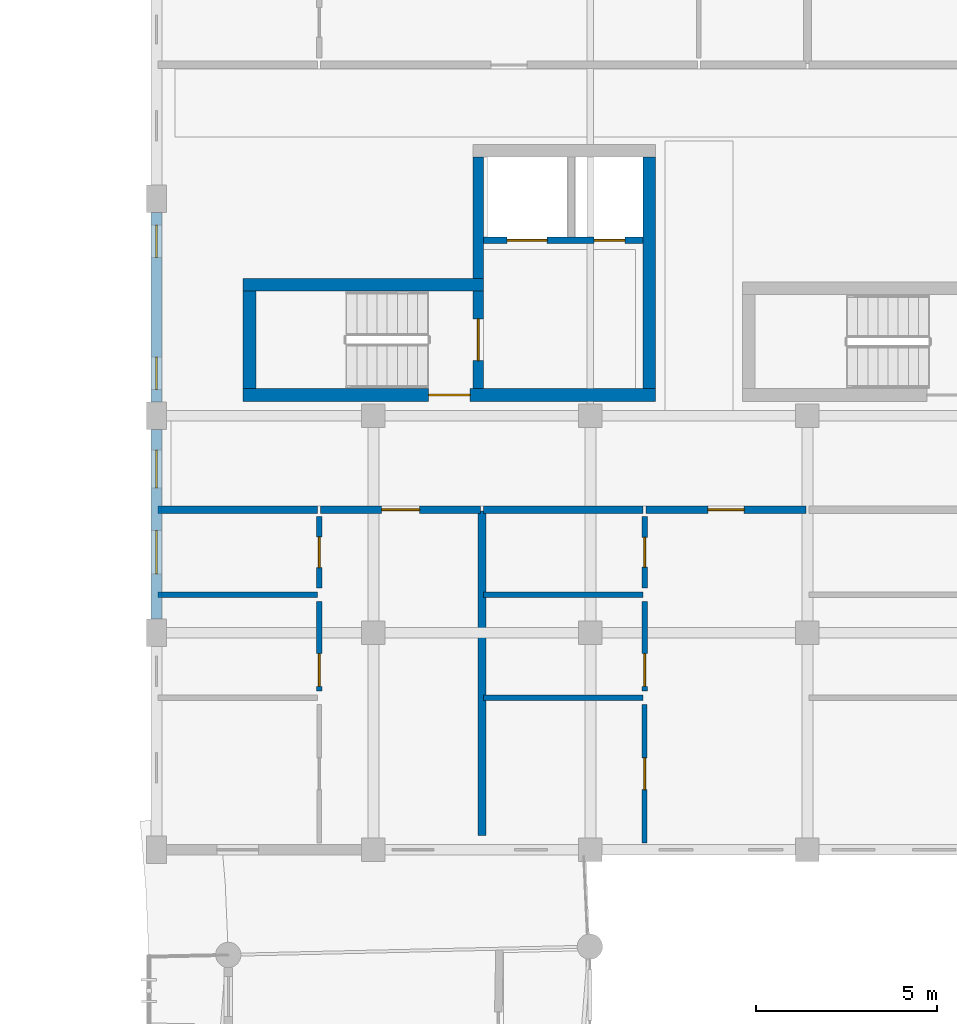
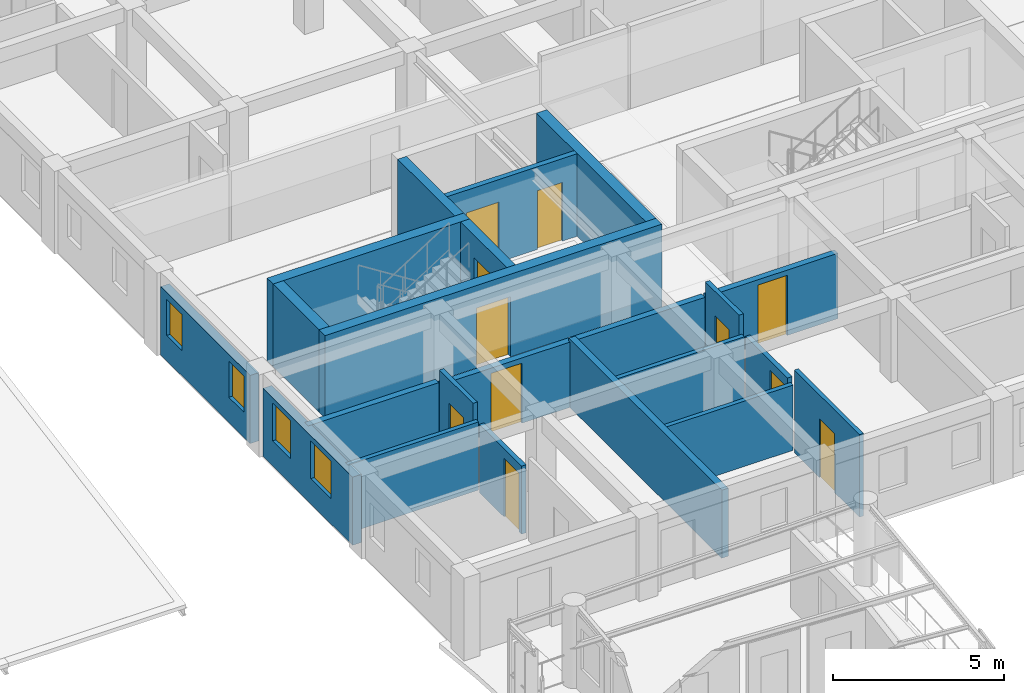
# One storey, part 88 of 123: 22 walls, 11 doors, 4 windows, 15 openings.
"""IFC4 building model written with IfcOpenShell, lengths in metres."""

import ifcopenshell
import ifcopenshell.guid

model = None  # the IFC model being written
_history = None  # IfcOwnerHistory: only IFC2X3 demands one
_inside = {}  # id of a spatial element -> (the spatial element, [elements in it])
_under = {}  # id of a project, library or spatial element -> (it, [spatial elements below it])
_declared = {}  # id of a project -> (the project, [libraries it declares])
_typed = {}  # id of a type object -> (the type object, [elements of that type])
_made_of = {}  # id of a material, layer set ... -> (it, [elements and type objects made of it])


def new_model(schema):
    """Start an empty IFC model of exactly this schema.

    Asked for "IFC4X3", IfcOpenShell would pick the latest addendum, in which some entities
    have other attributes; the version numbers below select the first issue.
    IFC2X3 requires an IfcOwnerHistory on every rooted entity: one is made here for all.
    """
    global model, _history
    if schema == "IFC4X3":
        model = ifcopenshell.file(schema_version=(4, 3, 0, 0))
    else:
        model = ifcopenshell.file(schema=schema)
    _inside.clear()
    _under.clear()
    _declared.clear()
    _typed.clear()
    _made_of.clear()
    _history = None
    if model.schema == "IFC2X3":
        org = make("IfcOrganization", Name="unknown")
        user = make(
            "IfcPersonAndOrganization",
            ThePerson=make("IfcPerson", FamilyName="unknown"),
            TheOrganization=org,
        )
        app = make(
            "IfcApplication",
            ApplicationDeveloper=org,
            Version="unknown",
            ApplicationFullName="unknown",
            ApplicationIdentifier="unknown",
        )
        _history = make(
            "IfcOwnerHistory",
            OwningUser=user,
            OwningApplication=app,
            ChangeAction="ADDED",
            CreationDate=0,
        )
    return model


def make(cls, **values):
    """One entity of the class cls with the attributes given. An attribute that is None is left unset."""
    return model.create_entity(
        cls, **{name: value for name, value in values.items() if value is not None}
    )


def rooted(cls, **values):
    """An entity with a GlobalId (a new one), such as an element, a storey or a relation."""
    return make(cls, GlobalId=ifcopenshell.guid.new(), OwnerHistory=_history, **values)


def si_unit(unit_type, name, prefix=None):
    """IfcSIUnit, for example si_unit("LENGTHUNIT", "METRE", prefix="MILLI")."""
    return make("IfcSIUnit", UnitType=unit_type, Prefix=prefix, Name=name)


def assignment(units):
    """IfcUnitAssignment: the units of a project."""
    return None if units is None else make("IfcUnitAssignment", Units=units)


def point(xyz):
    """IfcCartesianPoint."""
    return None if xyz is None else make("IfcCartesianPoint", Coordinates=xyz)


def direction(xyz):
    """IfcDirection."""
    return None if xyz is None else make("IfcDirection", DirectionRatios=xyz)


def frame(location, z_axis=None, x_axis=None):
    """IfcAxis2Placement3D, a coordinate frame: its origin and axes. An axis left out is left unset."""
    return make(
        "IfcAxis2Placement3D",
        Location=point(location),
        Axis=direction(z_axis),
        RefDirection=direction(x_axis),
    )


def frame_2d(location, x_axis=None):
    """IfcAxis2Placement2D, a coordinate frame in the plane: its origin and x axis."""
    return make(
        "IfcAxis2Placement2D", Location=point(location), RefDirection=direction(x_axis)
    )


def origin():
    """The frame at (0, 0, 0) with its axes left unset."""
    return frame((0.0, 0.0, 0.0))


def place(relative_to, where):
    """IfcLocalPlacement: puts the frame where relative to a parent placement (None: the world)."""
    return make(
        "IfcLocalPlacement", PlacementRelTo=relative_to, RelativePlacement=where
    )


def context(
    kind, dimensions, precision=None, world=None, true_north=None, identifier=None
):
    """IfcGeometricRepresentationContext, for example the 3D "Model" context."""
    return make(
        "IfcGeometricRepresentationContext",
        ContextIdentifier=identifier,
        ContextType=kind,
        CoordinateSpaceDimension=dimensions,
        Precision=precision,
        WorldCoordinateSystem=world,
        TrueNorth=true_north,
    )


def subcontext(parent, identifier, kind, view, scale=None):
    """IfcGeometricRepresentationSubContext, for example "Body" below "Model"."""
    return make(
        "IfcGeometricRepresentationSubContext",
        ContextIdentifier=identifier,
        ContextType=kind,
        ParentContext=parent,
        TargetScale=scale,
        TargetView=view,
    )


def project(units=None, contexts=None):
    """IfcProject with its units and contexts."""
    return rooted(
        "IfcProject",
        Name="project",
        RepresentationContexts=contexts,
        UnitsInContext=assignment(units),
    )


def spatial(cls, under=None, at=None, **own):
    """A site, building, storey or space (cls), placed at a placement, below another one or the project."""
    s = rooted(cls, ObjectPlacement=at, **own)
    if under is not None:
        _under.setdefault(under.id(), (under, []))[1].append(s)
    return s


def profile(cls, at=None, kind="AREA", **sizes):
    """A parametric profile (cls). Its sizes go by their IFC names, for example OverallWidth=200.0."""
    return make(cls, ProfileType=kind, Position=at, **sizes)


def rectangle(**sizes):
    """IfcRectangleProfileDef."""
    return profile("IfcRectangleProfileDef", **sizes)


def extrude(swept, where, along, depth):
    """IfcExtrudedAreaSolid: the profile swept, set in the frame where, extruded along a direction by depth."""
    return make(
        "IfcExtrudedAreaSolid",
        SweptArea=swept,
        Position=where,
        ExtrudedDirection=direction(along),
        Depth=depth,
    )


def shape(context_of_items, identifier, shape_type, items):
    """IfcShapeRepresentation: the items that make up one representation, for example the "Body"."""
    return make(
        "IfcShapeRepresentation",
        ContextOfItems=context_of_items,
        RepresentationIdentifier=identifier,
        RepresentationType=shape_type,
        Items=items,
    )


def material(Name=None, Category=None):
    """IfcMaterial."""
    return make("IfcMaterial", Name=Name, Category=Category)


def layer(
    of_material, thickness, ventilated=None, Name=None, Category=None, Priority=None
):
    """IfcMaterialLayer: one layer of a wall or slab, of a material (None: an air gap)."""
    return make(
        "IfcMaterialLayer",
        Material=of_material,
        LayerThickness=thickness,
        IsVentilated=ventilated,
        Name=Name,
        Category=Category,
        Priority=Priority,
    )


def layer_set(layers, Name=None):
    """IfcMaterialLayerSet."""
    return make("IfcMaterialLayerSet", MaterialLayers=layers, LayerSetName=Name)


def made_of(thing, what):
    """Note that an element or type object is made of a material, layer set ...; save() writes the relation."""
    if what is not None:
        _made_of.setdefault(what.id(), (what, []))[1].append(thing)
    return thing


def type_object(cls, material=None, **own):
    """A type object (cls), such as IfcWallType, which elements share."""
    return made_of(rooted(cls, **own), material)


def element(
    cls,
    number,
    at=None,
    inside=None,
    cuts=None,
    type_object=None,
    material=None,
    context=None,
    identifier="Body",
    shape_type=None,
    held_by="IfcProductDefinitionShape",
    body=None,
    shapes=None,
    **own,
):
    """One element of the class cls, such as IfcWall. Its Tag is "e" and its number.

    at: its placement. inside: the storey or other place that contains it. cuts: it is an
    opening in that element (IfcRelVoidsElement). A single representation is given by context,
    identifier, shape_type and body (its items); several are given by shapes. held_by: the class
    of the entity that holds the representations. save() writes the other relations.
    """
    e = rooted(cls, Tag="e%d" % number, ObjectPlacement=at, **own)
    if body is not None:
        shapes = [shape(context, identifier, shape_type, body)]
    if shapes is not None:
        e.Representation = make(held_by, Representations=shapes)
    if inside is not None:
        _inside.setdefault(inside.id(), (inside, []))[1].append(e)
    if cuts is not None:
        rooted(
            "IfcRelVoidsElement", RelatingBuildingElement=cuts, RelatedOpeningElement=e
        )
    if type_object is not None:
        _typed.setdefault(type_object.id(), (type_object, []))[1].append(e)
    return made_of(e, material)


def fill(opening, filler):
    """IfcRelFillsElement: the door or window that sits in an opening."""
    return rooted(
        "IfcRelFillsElement",
        RelatingOpeningElement=opening,
        RelatedBuildingElement=filler,
    )


def aggregate(whole, parts):
    """IfcRelAggregates: a whole, such as a stair, and the parts it consists of."""
    return rooted("IfcRelAggregates", RelatingObject=whole, RelatedObjects=parts)


def save(model, path):
    """Write the relations noted so far, then the file.

    IfcRelAggregates (storeys below a building ...), IfcRelContainedInSpatialStructure (elements
    in a storey), IfcRelDefinesByType, IfcRelAssociatesMaterial and IfcRelDeclares: one each for
    every whole, place, type object, material and project.
    """
    for whole, parts in _under.values():
        aggregate(whole, parts)
    for where, things in _inside.values():
        rooted(
            "IfcRelContainedInSpatialStructure",
            RelatedElements=things,
            RelatingStructure=where,
        )
    for kind, things in _typed.values():
        rooted("IfcRelDefinesByType", RelatedObjects=things, RelatingType=kind)
    for what, things in _made_of.values():
        rooted("IfcRelAssociatesMaterial", RelatedObjects=things, RelatingMaterial=what)
    for by, libraries in _declared.values():
        rooted("IfcRelDeclares", RelatingContext=by, RelatedDefinitions=libraries)
    model.write(path)


model = new_model("IFC4")

# Units and contexts
model_context = context("Model", 3, precision=1e-05, world=origin(), true_north=direction((0.0, 1.0)))
body_context = subcontext(model_context, "Body", "Model", "MODEL_VIEW")
ifc_project = project(units=[si_unit("LENGTHUNIT", "METRE"), si_unit("AREAUNIT", "SQUARE_METRE"), si_unit("VOLUMEUNIT", "CUBIC_METRE"), si_unit("PLANEANGLEUNIT", "RADIAN"), si_unit("MASSUNIT", "GRAM", prefix="KILO"), si_unit("POWERUNIT", "WATT"), si_unit("THERMODYNAMICTEMPERATUREUNIT", "KELVIN")], contexts=[model_context])

# Site, building, storey
site_placement = place(None, origin())
site = spatial("IfcSite", under=ifc_project, at=site_placement, CompositionType="ELEMENT")
building_placement = place(site_placement, origin())
building = spatial("IfcBuilding", under=site, at=building_placement, Name="Ruvembo Vaulted Housing Court", CompositionType="ELEMENT")
storey_placement = place(building_placement, frame((0.0, 0.0, 7.699951171875)))
storey = spatial("IfcBuildingStorey", under=building, at=storey_placement, Name="L02", CompositionType="ELEMENT", Elevation=7.699951171875)

# Wall, opening, door
ifc_material_1 = material(Name="Concrete C35/45", Category="concrete")
ifc_layer_1 = layer(ifc_material_1, 0.300048828125, Name="Concrete C35/45")
ifc_layer_set_1 = layer_set([ifc_layer_1], Name="Concrete C35/45")
wall_type_1 = type_object("IfcWallType", Name="WL-CORE-300", PredefinedType="SHEAR", material=ifc_layer_set_1)
wall_1_placement = place(storey_placement, frame((56.89990234375, 90.75, 0.0), z_axis=(0.0, 0.0, 1.0), x_axis=(0.0, 1.0, 0.0)))
wall_1 = element("IfcWall", 1, at=wall_1_placement, inside=storey, type_object=wall_type_1, Name="Core B1 L02 Stair-Lobby Shear Wall", PredefinedType="SHEAR", context=body_context, shape_type="SweptSolid", body=[
    extrude(rectangle(XDim=2.699951171875, YDim=0.300048828125, at=frame_2d((1.35009765625, 0.0))), origin(), (0.0, 0.0, 1.0), 2.955078125),
])
opening_1_placement = place(wall_1_placement, frame((0.77490234375, 0.0, 0.0)))
opening_1 = element("IfcOpeningElement", 2, at=opening_1_placement, cuts=wall_1, Name="Opening SD1", PredefinedType="OPENING", context=body_context, shape_type="SweptSolid", body=[
    extrude(rectangle(XDim=1.14990234375, YDim=2.14990234375, at=frame_2d((0.574951171875, 1.074951171875))), frame((0.0, 0.159912109375, 0.0), z_axis=(0.0, -1.0, 0.0), x_axis=(1.0, 0.0, 0.0)), (0.0, 0.0, 1.0), 0.320068359375),
])
ifc_material_2 = material(Name="Galvanised Painted Steel", Category="steel")
door_type_1 = type_object("IfcDoorType", Name="DR-STAIR-1150x2150", OperationType="NOTDEFINED", PredefinedType="DOOR", material=ifc_material_2)
door_1_placement = place(opening_1_placement, origin())
door_1 = element("IfcDoor", 3, at=door_1_placement, inside=storey, type_object=door_type_1, Name="Stair ST-B1 L02 Fire Door", OperationType="SINGLE_SWING_LEFT", OverallHeight=2.14990234375, OverallWidth=1.14990234375, PredefinedType="DOOR", context=body_context, shape_type="SweptSolid", body=[
    extrude(rectangle(XDim=1.14990234375, YDim=2.14990234375, at=frame_2d((0.574951171875, 1.074951171875))), frame((0.0, 0.02490234375, 0.0), z_axis=(0.0, -1.0, 0.0), x_axis=(1.0, 0.0, 0.0)), (0.0, 0.0, 1.0), 0.050048828125),
])
fill(opening_1, door_1)

# Wall
wall_2_placement = place(storey_placement, frame((56.89990234375, 93.800048828125, 0.0), z_axis=(0.0, 0.0, 1.0), x_axis=(0.0, 1.0, 0.0)))
element("IfcWall", 4, at=wall_2_placement, inside=storey, type_object=wall_type_1, Name="Core B1 L02 Upper West Shear Wall", PredefinedType="SHEAR", context=body_context, shape_type="SweptSolid", body=[
    extrude(rectangle(XDim=3.349853515625, YDim=0.300048828125, at=frame_2d((1.6748046875, 0.0))), origin(), (0.0, 0.0, 1.0), 2.955078125),
])

# Wall, opening, door
ifc_layer_2 = layer(ifc_material_1, 0.35009765625, Name="Concrete C35/45")
ifc_layer_set_2 = layer_set([ifc_layer_2], Name="Concrete C35/45")
wall_type_2 = type_object("IfcWallType", Name="WL-CORE-350", PredefinedType="SHEAR", material=ifc_layer_set_2)
wall_3_placement = place(storey_placement, frame((50.39990234375, 90.574951171875, 0.0), z_axis=(0.0, 0.0, 1.0), x_axis=(1.0, 0.0, 0.0)))
wall_3 = element("IfcWall", 5, at=wall_3_placement, inside=storey, type_object=wall_type_2, Name="Core B1 L02 South Shear Wall", PredefinedType="SHEAR", context=body_context, shape_type="SweptSolid", body=[
    extrude(rectangle(XDim=11.400146484375, YDim=0.35009765625, at=frame_2d((5.7001953125, 0.0))), origin(), (0.0, 0.0, 1.0), 2.955078125),
])
opening_2_placement = place(wall_3_placement, frame((5.125, 0.0, 0.0)))
opening_2 = element("IfcOpeningElement", 6, at=opening_2_placement, cuts=wall_3, Name="Opening LD0", PredefinedType="OPENING", context=body_context, shape_type="SweptSolid", body=[
    extrude(rectangle(XDim=1.14990234375, YDim=2.14990234375, at=frame_2d((0.574951171875, 1.074951171875))), frame((0.0, 0.18505859375, 0.0), z_axis=(0.0, -1.0, 0.0), x_axis=(1.0, 0.0, 0.0)), (0.0, 0.0, 1.0), 0.3701171875),
])
door_type_2 = type_object("IfcDoorType", Name="DR-LOB-1150x2150", OperationType="NOTDEFINED", PredefinedType="DOOR", material=ifc_material_2)
door_2_placement = place(opening_2_placement, origin())
door_2 = element("IfcDoor", 7, at=door_2_placement, inside=storey, type_object=door_type_2, Name="Core B1 L02 Lobby Fire Door", OperationType="SINGLE_SWING_RIGHT", OverallHeight=2.14990234375, OverallWidth=1.14990234375, PredefinedType="DOOR", context=body_context, shape_type="SweptSolid", body=[
    extrude(rectangle(XDim=1.14990234375, YDim=2.14990234375, at=frame_2d((0.574951171875, 1.074951171875))), frame((0.0, 0.02490234375, 0.0), z_axis=(0.0, -1.0, 0.0), x_axis=(1.0, 0.0, 0.0)), (0.0, 0.0, 1.0), 0.050048828125),
])
fill(opening_2, door_2)

# Walls
wall_4_placement = place(storey_placement, frame((57.050048828125, 93.625, 0.0), z_axis=(0.0, 0.0, 1.0), x_axis=(-1.0, 0.0, 0.0)))
element("IfcWall", 8, at=wall_4_placement, inside=storey, type_object=wall_type_2, Name="Core B1 L02 Stair North Shear Wall", PredefinedType="SHEAR", context=body_context, shape_type="SweptSolid", body=[
    extrude(rectangle(XDim=6.650146484375, YDim=0.35009765625, at=frame_2d((3.3251953125, 0.0))), origin(), (0.0, 0.0, 1.0), 2.955078125),
])
wall_5_placement = place(storey_placement, frame((50.574951171875, 93.449951171875, 0.0), z_axis=(0.0, 0.0, 1.0), x_axis=(0.0, -1.0, 0.0)))
element("IfcWall", 9, at=wall_5_placement, inside=storey, type_object=wall_type_2, Name="Core B1 L02 Stair West Shear Wall", PredefinedType="SHEAR", context=body_context, shape_type="SweptSolid", body=[
    extrude(rectangle(XDim=2.699951171875, YDim=0.35009765625, at=frame_2d((1.35009765625, 0.0))), origin(), (0.0, 0.0, 1.0), 2.955078125),
])
wall_6_placement = place(storey_placement, frame((61.625, 90.75, 0.0), z_axis=(0.0, 0.0, 1.0), x_axis=(0.0, 1.0, 0.0)))
element("IfcWall", 10, at=wall_6_placement, inside=storey, type_object=wall_type_2, Name="Core B1 L02 East Shear Wall", PredefinedType="SHEAR", context=body_context, shape_type="SweptSolid", body=[
    extrude(rectangle(XDim=6.39990234375, YDim=0.35009765625, at=frame_2d((3.199951171875, 0.0))), origin(), (0.0, 0.0, 1.0), 2.955078125),
])
ifc_material_3 = material(Name="Concrete Blockwork 210", Category="masonry")
ifc_layer_3 = layer(ifc_material_3, 0.2099609375, Name="Concrete Blockwork 210")
ifc_layer_set_3 = layer_set([ifc_layer_3], Name="Concrete Blockwork 210")
wall_type_3 = type_object("IfcWallType", Name="WL-CORR-210", PredefinedType="SOLIDWALL", material=ifc_layer_set_3)
wall_7_placement = place(storey_placement, frame((48.0400390625, 87.39990234375, 0.0), z_axis=(0.0, 0.0, 1.0), x_axis=(1.0, 0.0, 0.0)))
element("IfcWall", 11, at=wall_7_placement, inside=storey, type_object=wall_type_3, Name="L02 Flat B-L02-S1 Corridor Wall WL-INT-L02-00533", PredefinedType="SOLIDWALL", context=body_context, shape_type="SweptSolid", body=[
    extrude(rectangle(XDim=4.419921875, YDim=0.2099609375, at=frame_2d((2.2099609375, 0.0))), origin(), (0.0, 0.0, 1.0), 2.43701171875),
])

# Wall, opening, door
wall_8_placement = place(storey_placement, frame((52.5400390625, 87.39990234375, 0.0), z_axis=(0.0, 0.0, 1.0), x_axis=(1.0, 0.0, 0.0)))
wall_8 = element("IfcWall", 12, at=wall_8_placement, inside=storey, type_object=wall_type_3, Name="L02 Flat B-L02-S1 Entrance WL-INT-L02-00534", PredefinedType="SOLIDWALL", context=body_context, shape_type="SweptSolid", body=[
    extrude(rectangle(XDim=4.419921875, YDim=0.2099609375, at=frame_2d((2.2099609375, 0.0))), origin(), (0.0, 0.0, 1.0), 2.337158203125),
])
opening_3_placement = place(wall_8_placement, frame((1.68505859375, 0.0, 0.0)))
opening_3 = element("IfcOpeningElement", 13, at=opening_3_placement, cuts=wall_8, Name="Opening FD3", PredefinedType="OPENING", context=body_context, shape_type="SweptSolid", body=[
    extrude(rectangle(XDim=1.050048828125, YDim=2.14990234375, at=frame_2d((0.52490234375, 1.074951171875))), frame((0.0, 0.114990234375, 0.0), z_axis=(0.0, -1.0, 0.0), x_axis=(1.0, 0.0, 0.0)), (0.0, 0.0, 1.0), 0.22998046875),
])
ifc_material_4 = material(Name="FSC Hardwood and Engineered Timber", Category="wood")
door_type_3 = type_object("IfcDoorType", Name="DR-FLAT-1050x2150", OperationType="NOTDEFINED", PredefinedType="DOOR", material=ifc_material_4)
door_3_placement = place(opening_3_placement, origin())
door_3 = element("IfcDoor", 14, at=door_3_placement, inside=storey, type_object=door_type_3, Name="L02 Flat B-L02-S1 Entrance Door DR-INT-L02-00290", OperationType="SINGLE_SWING_RIGHT", OverallHeight=2.14990234375, OverallWidth=1.050048828125, PredefinedType="DOOR", context=body_context, shape_type="SweptSolid", body=[
    extrude(rectangle(XDim=1.050048828125, YDim=2.14990234375, at=frame_2d((0.52490234375, 1.074951171875))), frame((0.0, 0.02490234375, 0.0), z_axis=(0.0, -1.0, 0.0), x_axis=(1.0, 0.0, 0.0)), (0.0, 0.0, 1.0), 0.050048828125),
])
fill(opening_3, door_3)

# Wall
wall_9_placement = place(storey_placement, frame((57.0400390625, 87.39990234375, 0.0), z_axis=(0.0, 0.0, 1.0), x_axis=(1.0, 0.0, 0.0)))
element("IfcWall", 15, at=wall_9_placement, inside=storey, type_object=wall_type_3, Name="L02 Flat B-L02-S2 Corridor Wall WL-INT-L02-00541", PredefinedType="SOLIDWALL", context=body_context, shape_type="SweptSolid", body=[
    extrude(rectangle(XDim=4.419921875, YDim=0.2099609375, at=frame_2d((2.2099609375, 0.0))), origin(), (0.0, 0.0, 1.0), 2.337158203125),
])

# Wall, opening, door
wall_10_placement = place(storey_placement, frame((61.5400390625, 87.39990234375, 0.0), z_axis=(0.0, 0.0, 1.0), x_axis=(1.0, 0.0, 0.0)))
wall_10 = element("IfcWall", 16, at=wall_10_placement, inside=storey, type_object=wall_type_3, Name="L02 Flat B-L02-S2 Entrance WL-INT-L02-00542", PredefinedType="SOLIDWALL", context=body_context, shape_type="SweptSolid", body=[
    extrude(rectangle(XDim=4.419921875, YDim=0.2099609375, at=frame_2d((2.2099609375, 0.0))), origin(), (0.0, 0.0, 1.0), 2.337158203125),
])
opening_4_placement = place(wall_10_placement, frame((1.7099609375, 0.0, 0.0)))
opening_4 = element("IfcOpeningElement", 17, at=opening_4_placement, cuts=wall_10, Name="Opening FD1", PredefinedType="OPENING", context=body_context, shape_type="SweptSolid", body=[
    extrude(rectangle(XDim=1.0, YDim=2.14990234375, at=frame_2d((0.5, 1.074951171875))), frame((0.0, 0.114990234375, 0.0), z_axis=(0.0, -1.0, 0.0), x_axis=(1.0, 0.0, 0.0)), (0.0, 0.0, 1.0), 0.22998046875),
])
door_type_4 = type_object("IfcDoorType", Name="DR-FLAT-1000x2150", OperationType="NOTDEFINED", PredefinedType="DOOR", material=ifc_material_4)
door_4_placement = place(opening_4_placement, origin())
door_4 = element("IfcDoor", 18, at=door_4_placement, inside=storey, type_object=door_type_4, Name="L02 Flat B-L02-S2 Entrance Door DR-INT-L02-00294", OperationType="SINGLE_SWING_RIGHT", OverallHeight=2.14990234375, OverallWidth=1.0, PredefinedType="DOOR", context=body_context, shape_type="SweptSolid", body=[
    extrude(rectangle(XDim=1.0, YDim=2.14990234375, at=frame_2d((0.5, 1.074951171875))), frame((0.0, 0.02490234375, 0.0), z_axis=(0.0, -1.0, 0.0), x_axis=(1.0, 0.0, 0.0)), (0.0, 0.0, 1.0), 0.050048828125),
])
fill(opening_4, door_4)

# Wall
ifc_material_5 = material(Name="Acoustic Masonry Demising 220", Category="masonry")
ifc_layer_4 = layer(ifc_material_5, 0.219970703125, Name="Acoustic Masonry Demising 220")
ifc_layer_set_4 = layer_set([ifc_layer_4], Name="Acoustic Masonry Demising 220")
wall_type_4 = type_object("IfcWallType", Name="WL-DEM-200", PredefinedType="SOLIDWALL", material=ifc_layer_set_4)
wall_11_placement = place(storey_placement, frame((57.0, 78.389892578125, 0.0), z_axis=(0.0, 0.0, 1.0), x_axis=(0.0, 1.0, 0.0)))
element("IfcWall", 19, at=wall_11_placement, inside=storey, type_object=wall_type_4, Name="L02 Demising B-L02-S1 WL-INT-L02-00532", PredefinedType="SOLIDWALL", context=body_context, shape_type="SweptSolid", body=[
    extrude(rectangle(XDim=8.97021484375, YDim=0.219970703125, at=frame_2d((4.485107421875, 0.0))), origin(), (0.0, 0.0, 1.0), 2.43701171875),
])

# Wall, openings, windows
ifc_material_6 = material(Name="Rendered Masonry 300", Category="masonry")
ifc_layer_5 = layer(ifc_material_6, 0.300048828125, Name="Rendered Masonry 300")
ifc_layer_set_5 = layer_set([ifc_layer_5], Name="Rendered Masonry 300")
wall_type_5 = type_object("IfcWallType", Name="WL-EXT-300", PredefinedType="STANDARD", material=ifc_layer_set_5)
wall_12_placement = place(storey_placement, frame((48.0, 95.625, 0.0), z_axis=(0.0, 0.0, 1.0), x_axis=(0.0, -1.0, 0.0)))
wall_12 = element("IfcWall", 20, at=wall_12_placement, inside=storey, type_object=wall_type_5, Name="Block B L02 Exterior Wall WEST #4", PredefinedType="STANDARD", context=body_context, shape_type="SweptSolid", body=[
    extrude(rectangle(XDim=5.25, YDim=0.300048828125, at=frame_2d((2.625, 0.0))), origin(), (0.0, 0.0, 1.0), 2.43701171875),
])
opening_5_placement = place(wall_12_placement, frame((0.35009765625, 0.0, 0.89990234375)))
opening_5 = element("IfcOpeningElement", 21, at=opening_5_placement, cuts=wall_12, Name="Opening W04", PredefinedType="OPENING", context=body_context, shape_type="SweptSolid", body=[
    extrude(rectangle(XDim=0.89990234375, YDim=1.300048828125, at=frame_2d((0.449951171875, 0.64990234375))), frame((0.0, 0.159912109375, 0.0), z_axis=(0.0, -1.0, 0.0), x_axis=(1.0, 0.0, 0.0)), (0.0, 0.0, 1.0), 0.320068359375),
])
opening_6_placement = place(wall_12_placement, frame((4.0, 0.0, 0.89990234375)))
opening_6 = element("IfcOpeningElement", 22, at=opening_6_placement, cuts=wall_12, Name="Opening W04", PredefinedType="OPENING", context=body_context, shape_type="SweptSolid", body=[
    extrude(rectangle(XDim=0.89990234375, YDim=1.300048828125, at=frame_2d((0.449951171875, 0.64990234375))), frame((0.0, 0.159912109375, 0.0), z_axis=(0.0, -1.0, 0.0), x_axis=(1.0, 0.0, 0.0)), (0.0, 0.0, 1.0), 0.320068359375),
])
ifc_material_7 = material(Name="Double Solar-Control Glazing in Aluminium Frame", Category="aluminium")
window_type_1 = type_object("IfcWindowType", Name="WIN-0900x1300", PartitioningType="SINGLE_PANEL", PredefinedType="WINDOW", material=ifc_material_7)
window_1_placement = place(opening_5_placement, origin())
window_1 = element("IfcWindow", 23, at=window_1_placement, inside=storey, type_object=window_type_1, Name="Block B L02 Window #722", OverallHeight=1.300048828125, OverallWidth=0.89990234375, PartitioningType="SINGLE_PANEL", PredefinedType="WINDOW", context=body_context, shape_type="SweptSolid", body=[
    extrude(rectangle(XDim=0.89990234375, YDim=1.300048828125, at=frame_2d((0.449951171875, 0.64990234375))), frame((0.0, 0.030029296875, 0.0), z_axis=(0.0, -1.0, 0.0), x_axis=(1.0, 0.0, 0.0)), (0.0, 0.0, 1.0), 0.06005859375),
])
fill(opening_5, window_1)
window_2_placement = place(opening_6_placement, origin())
window_2 = element("IfcWindow", 24, at=window_2_placement, inside=storey, type_object=window_type_1, Name="Block B L02 Window #723", OverallHeight=1.300048828125, OverallWidth=0.89990234375, PartitioningType="SINGLE_PANEL", PredefinedType="WINDOW", context=body_context, shape_type="SweptSolid", body=[
    extrude(rectangle(XDim=0.89990234375, YDim=1.300048828125, at=frame_2d((0.449951171875, 0.64990234375))), frame((0.0, 0.030029296875, 0.0), z_axis=(0.0, -1.0, 0.0), x_axis=(1.0, 0.0, 0.0)), (0.0, 0.0, 1.0), 0.06005859375),
])
fill(opening_6, window_2)

wall_13_placement = place(storey_placement, frame((48.0, 89.625, 0.0), z_axis=(0.0, 0.0, 1.0), x_axis=(0.0, -1.0, 0.0)))
wall_13 = element("IfcWall", 25, at=wall_13_placement, inside=storey, type_object=wall_type_5, Name="Block B L02 Exterior Wall WEST #5", PredefinedType="STANDARD", context=body_context, shape_type="SweptSolid", body=[
    extrude(rectangle(XDim=5.25, YDim=0.300048828125, at=frame_2d((2.625, 0.0))), origin(), (0.0, 0.0, 1.0), 2.43701171875),
])
opening_7_placement = place(wall_13_placement, frame((0.5673828125, 0.0, 0.89990234375)))
opening_7 = element("IfcOpeningElement", 26, at=opening_7_placement, cuts=wall_13, Name="Opening W09", PredefinedType="OPENING", context=body_context, shape_type="SweptSolid", body=[
    extrude(rectangle(XDim=1.050048828125, YDim=1.35009765625, at=frame_2d((0.52490234375, 0.675048828125))), frame((0.0, 0.159912109375, 0.0), z_axis=(0.0, -1.0, 0.0), x_axis=(1.0, 0.0, 0.0)), (0.0, 0.0, 1.0), 0.320068359375),
])
opening_8_placement = place(wall_13_placement, frame((2.800048828125, 0.0, 0.89990234375)))
opening_8 = element("IfcOpeningElement", 27, at=opening_8_placement, cuts=wall_13, Name="Opening W12", PredefinedType="OPENING", context=body_context, shape_type="SweptSolid", body=[
    extrude(rectangle(XDim=1.199951171875, YDim=1.35009765625, at=frame_2d((0.60009765625, 0.675048828125))), frame((0.0, 0.159912109375, 0.0), z_axis=(0.0, -1.0, 0.0), x_axis=(1.0, 0.0, 0.0)), (0.0, 0.0, 1.0), 0.320068359375),
])
window_type_2 = type_object("IfcWindowType", Name="WIN-1050x1350", PartitioningType="SINGLE_PANEL", PredefinedType="WINDOW", material=ifc_material_7)
window_3_placement = place(opening_7_placement, origin())
window_3 = element("IfcWindow", 28, at=window_3_placement, inside=storey, type_object=window_type_2, Name="Block B L02 Window #724", OverallHeight=1.35009765625, OverallWidth=1.050048828125, PartitioningType="SINGLE_PANEL", PredefinedType="WINDOW", context=body_context, shape_type="SweptSolid", body=[
    extrude(rectangle(XDim=1.050048828125, YDim=1.35009765625, at=frame_2d((0.52490234375, 0.675048828125))), frame((0.0, 0.030029296875, 0.0), z_axis=(0.0, -1.0, 0.0), x_axis=(1.0, 0.0, 0.0)), (0.0, 0.0, 1.0), 0.06005859375),
])
fill(opening_7, window_3)
window_type_3 = type_object("IfcWindowType", Name="WIN-1200x1350", PartitioningType="SINGLE_PANEL", PredefinedType="WINDOW", material=ifc_material_7)
window_4_placement = place(opening_8_placement, origin())
window_4 = element("IfcWindow", 29, at=window_4_placement, inside=storey, type_object=window_type_3, Name="Block B L02 Window #725", OverallHeight=1.35009765625, OverallWidth=1.199951171875, PartitioningType="SINGLE_PANEL", PredefinedType="WINDOW", context=body_context, shape_type="SweptSolid", body=[
    extrude(rectangle(XDim=1.199951171875, YDim=1.35009765625, at=frame_2d((0.60009765625, 0.675048828125))), frame((0.0, 0.030029296875, 0.0), z_axis=(0.0, -1.0, 0.0), x_axis=(1.0, 0.0, 0.0)), (0.0, 0.0, 1.0), 0.06005859375),
])
fill(opening_8, window_4)

# Wall, opening, door
ifc_material_8 = material(Name="Acoustic Stud Partition 135", Category="gypsum")
ifc_layer_6 = layer(ifc_material_8, 0.135009765625, Name="Acoustic Stud Partition 135")
ifc_layer_set_6 = layer_set([ifc_layer_6], Name="Acoustic Stud Partition 135")
wall_type_6 = type_object("IfcWallType", Name="WL-PART-135", PredefinedType="PARTITIONING", material=ifc_layer_set_6)
wall_14_placement = place(storey_placement, frame((61.5, 78.18994140625, 0.0), z_axis=(0.0, 0.0, 1.0), x_axis=(0.0, 1.0, 0.0)))
wall_14 = element("IfcWall", 30, at=wall_14_placement, inside=storey, type_object=wall_type_6, Name="L02 Flat B-L02-S2 Bedroom 1 WL-INT-L02-00543", PredefinedType="PARTITIONING", context=body_context, shape_type="SweptSolid", body=[
    extrude(rectangle(XDim=3.820068359375, YDim=0.135009765625, at=frame_2d((1.91015625, 0.0))), origin(), (0.0, 0.0, 1.0), 2.955078125),
])
opening_9_placement = place(wall_14_placement, frame((1.469970703125, 0.0, 0.0)))
opening_9 = element("IfcOpeningElement", 31, at=opening_9_placement, cuts=wall_14, Name="Opening ID3", PredefinedType="OPENING", context=body_context, shape_type="SweptSolid", body=[
    extrude(rectangle(XDim=0.8798828125, YDim=2.10009765625, at=frame_2d((0.43994140625, 1.050048828125))), frame((0.0, 0.077392578125, 0.0), z_axis=(0.0, -1.0, 0.0), x_axis=(1.0, 0.0, 0.0)), (0.0, 0.0, 1.0), 0.155029296875),
])
door_type_5 = type_object("IfcDoorType", Name="DR-ROOM-0880x2100", OperationType="NOTDEFINED", PredefinedType="DOOR", material=ifc_material_4)
door_5_placement = place(opening_9_placement, origin())
door_5 = element("IfcDoor", 32, at=door_5_placement, inside=storey, type_object=door_type_5, Name="L02 Flat B-L02-S2 Bedroom 1 Door DR-INT-L02-00295", OperationType="SINGLE_SWING_LEFT", OverallHeight=2.10009765625, OverallWidth=0.8798828125, PredefinedType="DOOR", context=body_context, shape_type="SweptSolid", body=[
    extrude(rectangle(XDim=0.8798828125, YDim=2.10009765625, at=frame_2d((0.43994140625, 1.050048828125))), frame((0.0, 0.02490234375, 0.0), z_axis=(0.0, -1.0, 0.0), x_axis=(1.0, 0.0, 0.0)), (0.0, 0.0, 1.0), 0.050048828125),
])
fill(opening_9, door_5)

ifc_material_9 = material(Name="Moisture-Resistant Wet Partition 150", Category="gypsum")
ifc_layer_7 = layer(ifc_material_9, 0.14990234375, Name="Moisture-Resistant Wet Partition 150")
ifc_layer_set_7 = layer_set([ifc_layer_7], Name="Moisture-Resistant Wet Partition 150")
wall_type_7 = type_object("IfcWallType", Name="WL-PART-150", PredefinedType="PARTITIONING", material=ifc_layer_set_7)
wall_15_placement = place(storey_placement, frame((52.5, 85.239990234375, 0.0), z_axis=(0.0, 0.0, 1.0), x_axis=(0.0, 1.0, 0.0)))
wall_15 = element("IfcWall", 33, at=wall_15_placement, inside=storey, type_object=wall_type_7, Name="L02 Flat B-L02-S1 Bathroom WL-INT-L02-00537", PredefinedType="PARTITIONING", context=body_context, shape_type="SweptSolid", body=[
    extrude(rectangle(XDim=1.969970703125, YDim=0.14990234375, at=frame_2d((0.98486328125, 0.0))), origin(), (0.0, 0.0, 1.0), 2.955078125),
])
opening_10_placement = place(wall_15_placement, frame((0.56005859375, 0.0, 0.0)))
opening_10 = element("IfcOpeningElement", 34, at=opening_10_placement, cuts=wall_15, Name="Opening ID2", PredefinedType="OPENING", context=body_context, shape_type="SweptSolid", body=[
    extrude(rectangle(XDim=0.85009765625, YDim=2.10009765625, at=frame_2d((0.425048828125, 1.050048828125))), frame((0.0, 0.0849609375, 0.0), z_axis=(0.0, -1.0, 0.0), x_axis=(1.0, 0.0, 0.0)), (0.0, 0.0, 1.0), 0.169921875),
])
door_type_6 = type_object("IfcDoorType", Name="DR-WET-0850x2100", OperationType="NOTDEFINED", PredefinedType="DOOR", material=ifc_material_4)
door_6_placement = place(opening_10_placement, origin())
door_6 = element("IfcDoor", 35, at=door_6_placement, inside=storey, type_object=door_type_6, Name="L02 Flat B-L02-S1 Bathroom Door DR-INT-L02-00293", OperationType="SINGLE_SWING_LEFT", OverallHeight=2.10009765625, OverallWidth=0.85009765625, PredefinedType="DOOR", context=body_context, shape_type="SweptSolid", body=[
    extrude(rectangle(XDim=0.85009765625, YDim=2.10009765625, at=frame_2d((0.425048828125, 1.050048828125))), frame((0.0, 0.02490234375, 0.0), z_axis=(0.0, -1.0, 0.0), x_axis=(1.0, 0.0, 0.0)), (0.0, 0.0, 1.0), 0.050048828125),
])
fill(opening_10, door_6)

# Wall
wall_16_placement = place(storey_placement, frame((48.0400390625, 85.050048828125, 0.0), z_axis=(0.0, 0.0, 1.0), x_axis=(1.0, 0.0, 0.0)))
element("IfcWall", 36, at=wall_16_placement, inside=storey, type_object=wall_type_7, Name="L02 Flat B-L02-S1 Wet Wall 2 WL-INT-L02-00539", PredefinedType="PARTITIONING", context=body_context, shape_type="SweptSolid", body=[
    extrude(rectangle(XDim=4.419921875, YDim=0.14990234375, at=frame_2d((2.2099609375, 0.0))), origin(), (0.0, 0.0, 1.0), 2.43701171875),
])

# Wall, opening, door
wall_17_placement = place(storey_placement, frame((61.5, 85.239990234375, 0.0), z_axis=(0.0, 0.0, 1.0), x_axis=(0.0, 1.0, 0.0)))
wall_17 = element("IfcWall", 37, at=wall_17_placement, inside=storey, type_object=wall_type_7, Name="L02 Flat B-L02-S2 Bathroom WL-INT-L02-00545", PredefinedType="PARTITIONING", context=body_context, shape_type="SweptSolid", body=[
    extrude(rectangle(XDim=1.969970703125, YDim=0.14990234375, at=frame_2d((0.98486328125, 0.0))), origin(), (0.0, 0.0, 1.0), 2.955078125),
])
opening_11_placement = place(wall_17_placement, frame((0.574951171875, 0.0, 0.0)))
opening_11 = element("IfcOpeningElement", 38, at=opening_11_placement, cuts=wall_17, Name="Opening ID4", PredefinedType="OPENING", context=body_context, shape_type="SweptSolid", body=[
    extrude(rectangle(XDim=0.820068359375, YDim=2.080078125, at=frame_2d((0.41015625, 1.0400390625))), frame((0.0, 0.0849609375, 0.0), z_axis=(0.0, -1.0, 0.0), x_axis=(1.0, 0.0, 0.0)), (0.0, 0.0, 1.0), 0.169921875),
])
door_type_7 = type_object("IfcDoorType", Name="DR-WET-0820x2080", OperationType="NOTDEFINED", PredefinedType="DOOR", material=ifc_material_4)
door_7_placement = place(opening_11_placement, origin())
door_7 = element("IfcDoor", 39, at=door_7_placement, inside=storey, type_object=door_type_7, Name="L02 Flat B-L02-S2 Bathroom Door DR-INT-L02-00297", OperationType="SINGLE_SWING_LEFT", OverallHeight=2.080078125, OverallWidth=0.820068359375, PredefinedType="DOOR", context=body_context, shape_type="SweptSolid", body=[
    extrude(rectangle(XDim=0.820068359375, YDim=2.080078125, at=frame_2d((0.41015625, 1.0400390625))), frame((0.0, 0.02490234375, 0.0), z_axis=(0.0, -1.0, 0.0), x_axis=(1.0, 0.0, 0.0)), (0.0, 0.0, 1.0), 0.050048828125),
])
fill(opening_11, door_7)

# Walls
for number, where, z_axis, x_axis, name in (
    (40, (57.0400390625, 82.199951171875, 0.0), (0.0, 0.0, 1.0), (1.0, 0.0, 0.0), "L02 Flat B-L02-S2 Wet Wall 1 WL-INT-L02-00546"),
    (41, (57.0400390625, 85.050048828125, 0.0), (0.0, 0.0, 1.0), (1.0, 0.0, 0.0), "L02 Flat B-L02-S2 Wet Wall 2 WL-INT-L02-00547"),
):
    element("IfcWall", number, at=place(storey_placement, frame(where, z_axis=z_axis, x_axis=x_axis)), inside=storey, type_object=wall_type_7, Name=name, PredefinedType="PARTITIONING", context=body_context, shape_type="SweptSolid", body=[
        extrude(rectangle(XDim=4.419921875, YDim=0.14990234375, at=frame_2d((2.2099609375, 0.0))), origin(), (0.0, 0.0, 1.0), 2.337158203125),
    ])

# Wall, opening, door
ifc_material_10 = material(Name="Acoustic Service Chase Wall 160", Category="gypsum")
ifc_layer_8 = layer(ifc_material_10, 0.159912109375, Name="Acoustic Service Chase Wall 160")
ifc_layer_set_8 = layer_set([ifc_layer_8], Name="Acoustic Service Chase Wall 160")
wall_type_8 = type_object("IfcWallType", Name="WL-PLUMB-160", PredefinedType="PLUMBINGWALL", material=ifc_layer_set_8)
wall_18_placement = place(storey_placement, frame((52.5, 82.389892578125, 0.0), z_axis=(0.0, 0.0, 1.0), x_axis=(0.0, 1.0, 0.0)))
wall_18 = element("IfcWall", 42, at=wall_18_placement, inside=storey, type_object=wall_type_8, Name="L02 Flat B-L02-S1 Kitchen WL-INT-L02-00536", PredefinedType="PLUMBINGWALL", context=body_context, shape_type="SweptSolid", body=[
    extrude(rectangle(XDim=2.47021484375, YDim=0.159912109375, at=frame_2d((1.235107421875, 0.0))), origin(), (0.0, 0.0, 1.0), 2.43701171875),
])
opening_12_placement = place(wall_18_placement, frame((0.1298828125, 0.0, 0.0)))
opening_12 = element("IfcOpeningElement", 43, at=opening_12_placement, cuts=wall_18, Name="Opening ID1", PredefinedType="OPENING", context=body_context, shape_type="SweptSolid", body=[
    extrude(rectangle(XDim=0.89990234375, YDim=2.10009765625, at=frame_2d((0.449951171875, 1.050048828125))), frame((0.0, 0.08984375, 0.0), z_axis=(0.0, -1.0, 0.0), x_axis=(1.0, 0.0, 0.0)), (0.0, 0.0, 1.0), 0.179931640625),
])
door_type_8 = type_object("IfcDoorType", Name="DR-ROOM-0900x2100", OperationType="NOTDEFINED", PredefinedType="DOOR", material=ifc_material_4)
door_8_placement = place(opening_12_placement, origin())
door_8 = element("IfcDoor", 44, at=door_8_placement, inside=storey, type_object=door_type_8, Name="L02 Flat B-L02-S1 Kitchen Door DR-INT-L02-00292", OperationType="SINGLE_SWING_RIGHT", OverallHeight=2.10009765625, OverallWidth=0.89990234375, PredefinedType="DOOR", context=body_context, shape_type="SweptSolid", body=[
    extrude(rectangle(XDim=0.89990234375, YDim=2.10009765625, at=frame_2d((0.449951171875, 1.050048828125))), frame((0.0, 0.02490234375, 0.0), z_axis=(0.0, -1.0, 0.0), x_axis=(1.0, 0.0, 0.0)), (0.0, 0.0, 1.0), 0.050048828125),
])
fill(opening_12, door_8)

wall_19_placement = place(storey_placement, frame((61.5, 82.389892578125, 0.0), z_axis=(0.0, 0.0, 1.0), x_axis=(0.0, 1.0, 0.0)))
wall_19 = element("IfcWall", 45, at=wall_19_placement, inside=storey, type_object=wall_type_8, Name="L02 Flat B-L02-S2 Kitchen WL-INT-L02-00544", PredefinedType="PLUMBINGWALL", context=body_context, shape_type="SweptSolid", body=[
    extrude(rectangle(XDim=2.47021484375, YDim=0.159912109375, at=frame_2d((1.235107421875, 0.0))), origin(), (0.0, 0.0, 1.0), 2.43701171875),
])
opening_13_placement = place(wall_19_placement, frame((0.1298828125, 0.0, 0.0)))
opening_13 = element("IfcOpeningElement", 46, at=opening_13_placement, cuts=wall_19, Name="Opening ID1", PredefinedType="OPENING", context=body_context, shape_type="SweptSolid", body=[
    extrude(rectangle(XDim=0.89990234375, YDim=2.10009765625, at=frame_2d((0.449951171875, 1.050048828125))), frame((0.0, 0.08984375, 0.0), z_axis=(0.0, -1.0, 0.0), x_axis=(1.0, 0.0, 0.0)), (0.0, 0.0, 1.0), 0.179931640625),
])
door_9_placement = place(opening_13_placement, origin())
door_9 = element("IfcDoor", 47, at=door_9_placement, inside=storey, type_object=door_type_8, Name="L02 Flat B-L02-S2 Kitchen Door DR-INT-L02-00296", OperationType="SINGLE_SWING_RIGHT", OverallHeight=2.10009765625, OverallWidth=0.89990234375, PredefinedType="DOOR", context=body_context, shape_type="SweptSolid", body=[
    extrude(rectangle(XDim=0.89990234375, YDim=2.10009765625, at=frame_2d((0.449951171875, 1.050048828125))), frame((0.0, 0.02490234375, 0.0), z_axis=(0.0, -1.0, 0.0), x_axis=(1.0, 0.0, 0.0)), (0.0, 0.0, 1.0), 0.050048828125),
])
fill(opening_13, door_9)

# Wall, openings, doors
ifc_material_11 = material(Name="Fire-Rated Masonry Shaft 180", Category="masonry")
ifc_layer_9 = layer(ifc_material_11, 0.179931640625, Name="Fire-Rated Masonry Shaft 180")
ifc_layer_set_9 = layer_set([ifc_layer_9], Name="Fire-Rated Masonry Shaft 180")
wall_type_9 = type_object("IfcWallType", Name="WL-SHAFT-180", PredefinedType="SOLIDWALL", material=ifc_layer_set_9)
wall_20_placement = place(storey_placement, frame((57.050048828125, 94.85009765625, 0.0), z_axis=(0.0, 0.0, 1.0), x_axis=(1.0, 0.0, 0.0)))
wall_20 = element("IfcWall", 48, at=wall_20_placement, inside=storey, type_object=wall_type_9, Name="Core B1 L02 Lift and Riser Front Wall", PredefinedType="SOLIDWALL", context=body_context, shape_type="SweptSolid", body=[
    extrude(rectangle(XDim=4.39990234375, YDim=0.179931640625, at=frame_2d((2.199951171875, 0.0))), origin(), (0.0, 0.0, 1.0), 2.955078125),
])
opening_14_placement = place(wall_20_placement, frame((0.64990234375, 0.0, 0.0)))
opening_14 = element("IfcOpeningElement", 49, at=opening_14_placement, cuts=wall_20, Name="Opening LD-LP-B1-L02", PredefinedType="OPENING", context=body_context, shape_type="SweptSolid", body=[
    extrude(rectangle(XDim=1.10009765625, YDim=2.14990234375, at=frame_2d((0.550048828125, 1.074951171875))), frame((0.0, 0.099853515625, 0.0), z_axis=(0.0, -1.0, 0.0), x_axis=(1.0, 0.0, 0.0)), (0.0, 0.0, 1.0), 0.199951171875),
])
opening_15_placement = place(wall_20_placement, frame((3.050048828125, 0.0, 0.0)))
opening_15 = element("IfcOpeningElement", 50, at=opening_15_placement, cuts=wall_20, Name="Opening RD1", PredefinedType="OPENING", context=body_context, shape_type="SweptSolid", body=[
    extrude(rectangle(XDim=0.85009765625, YDim=2.10009765625, at=frame_2d((0.425048828125, 1.050048828125))), frame((0.0, 0.099853515625, 0.0), z_axis=(0.0, -1.0, 0.0), x_axis=(1.0, 0.0, 0.0)), (0.0, 0.0, 1.0), 0.199951171875),
])
ifc_material_12 = material(Name="Brushed Stainless Steel 304", Category="steel")
door_type_9 = type_object("IfcDoorType", Name="DR-LIFT-1100x2150", OperationType="NOTDEFINED", PredefinedType="DOOR", material=ifc_material_12)
door_10_placement = place(opening_14_placement, origin())
door_10 = element("IfcDoor", 51, at=door_10_placement, inside=storey, type_object=door_type_9, Name="Lift LP-B1 L02 Sliding Landing Door", OperationType="SLIDING_TO_LEFT", OverallHeight=2.14990234375, OverallWidth=1.10009765625, PredefinedType="DOOR", context=body_context, shape_type="SweptSolid", body=[
    extrude(rectangle(XDim=1.10009765625, YDim=2.14990234375, at=frame_2d((0.550048828125, 1.074951171875))), frame((0.0, 0.02490234375, 0.0), z_axis=(0.0, -1.0, 0.0), x_axis=(1.0, 0.0, 0.0)), (0.0, 0.0, 1.0), 0.050048828125),
])
fill(opening_14, door_10)
door_type_10 = type_object("IfcDoorType", Name="DR-RISER-0850x2100", OperationType="NOTDEFINED", PredefinedType="DOOR", material=ifc_material_2)
door_11_placement = place(opening_15_placement, frame((0.85009765625, 0.0, 0.0), z_axis=(0.0, 0.0, 1.0), x_axis=(-1.0, 0.0, 0.0)))
door_11 = element("IfcDoor", 52, at=door_11_placement, inside=storey, type_object=door_type_10, Name="Core B1 L02 Service Riser Door", OperationType="SINGLE_SWING_RIGHT", OverallHeight=2.10009765625, OverallWidth=0.85009765625, PredefinedType="DOOR", context=body_context, shape_type="SweptSolid", body=[
    extrude(rectangle(XDim=0.85009765625, YDim=2.10009765625, at=frame_2d((0.425048828125, 1.050048828125))), frame((0.0, 0.02490234375, 0.0), z_axis=(0.0, -1.0, 0.0), x_axis=(1.0, 0.0, 0.0)), (0.0, 0.0, 1.0), 0.050048828125),
])
fill(opening_15, door_11)

save(model, "model.ifc")
